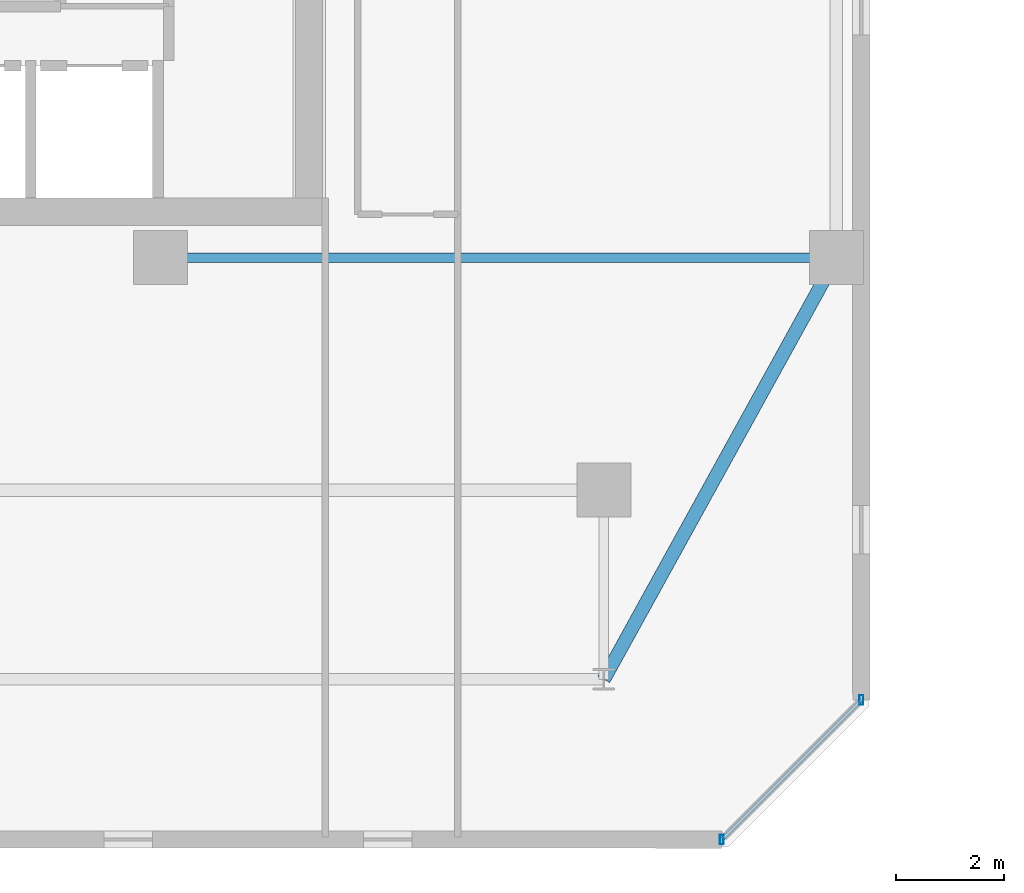
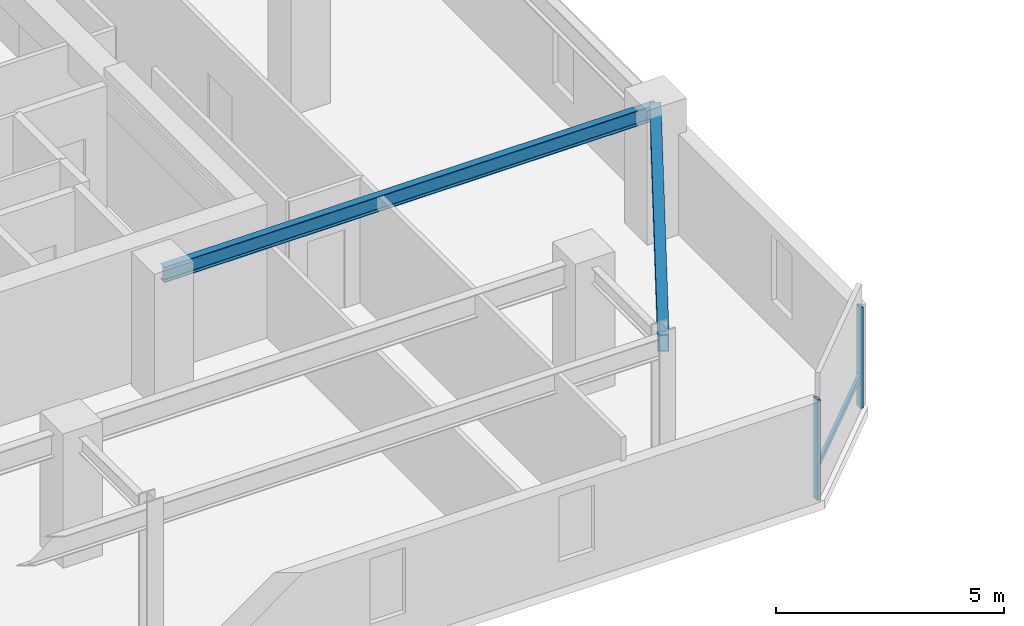
# One storey, part 5 of 31: 3 members, 2 beams, 1 element without a shape of its own.
"""IFC4 building model written with IfcOpenShell, lengths in metres."""

from ifc_helpers import new_model, si_unit, direction, frame, origin, origin_2d, place, context, subcontext, project, spatial, hollow_rectangle, i_section, extrude, material, material_profile, profile_set, type_object, element, aggregate, save


model = new_model("IFC4")

# Units and contexts
model_context = context("Model", 3, precision=1e-05, world=origin(), true_north=direction((0.0, 1.0)))
body_context = subcontext(model_context, "Body", "Model", "MODEL_VIEW")
ifc_project = project(units=[si_unit("LENGTHUNIT", "METRE"), si_unit("AREAUNIT", "SQUARE_METRE"), si_unit("VOLUMEUNIT", "CUBIC_METRE"), si_unit("PLANEANGLEUNIT", "RADIAN"), si_unit("MASSUNIT", "GRAM", prefix="KILO")], contexts=[model_context])

# Site, building, storey
site_placement = place(None, origin())
site = spatial("IfcSite", under=ifc_project, at=site_placement, CompositionType="ELEMENT")
building_placement = place(site_placement, origin())
building = spatial("IfcBuilding", under=site, at=building_placement, Name="Thornwick Lancets Civic Towers", CompositionType="ELEMENT")
storey_placement = place(building_placement, frame((0.0, 0.0, 236.699951171875)))
storey = spatial("IfcBuildingStorey", under=building, at=storey_placement, Name="L63", CompositionType="ELEMENT", Elevation=236.699951171875)

# Beams
ifc_material_1 = material(Name="Steel S355JR", Category="steel")
ifc_material_profile_1 = material_profile(ifc_material_1, i_section(OverallWidth=0.179443359375, OverallDepth=0.412841796875, WebThickness=0.009521484375, FlangeThickness=0.01611328125, FilletRadius=0.01025390625, at=origin_2d()), Name="UKB 406x178x74")
ifc_profile_set_1 = profile_set([ifc_material_profile_1], Name="Steel S355JR")
beam_type_1 = type_object("IfcBeamType", Name="BM_JOIST_406_74", PredefinedType="JOIST", material=ifc_profile_set_1)
beam_1_placement = place(storey_placement, frame((30.300048828125, 14.0, 3.153564453125), z_axis=(1.0, 0.0, 0.0), x_axis=(0.0, 1.0, 0.0)))
element("IfcBeam", 1, at=beam_1_placement, inside=storey, type_object=beam_type_1, Name="BM-RADIN-L63-A04", PredefinedType="JOIST", context=body_context, shape_type="SweptSolid", body=[
    extrude(i_section(OverallWidth=0.179443359375, OverallDepth=0.412841796875, WebThickness=0.009521484375, FlangeThickness=0.01611328125, FilletRadius=0.01025390625, at=origin_2d()), origin(), (0.0, 0.0, 1.0), 12.5),
])
ifc_material_profile_2 = material_profile(ifc_material_1, hollow_rectangle(XDim=0.25, YDim=0.449951171875, WallThickness=0.01611328125, at=origin_2d()), Name="RHS 450x250x16")
ifc_profile_set_2 = profile_set([ifc_material_profile_2], Name="Steel S355JR")
beam_type_2 = type_object("IfcBeamType", Name="BM_RING_RHS450", PredefinedType="BEAM", material=ifc_profile_set_2)
beam_2_placement = place(storey_placement, frame((38.5, 6.199951171875, 3.135009765625), z_axis=(0.482782395749, 0.875740348708, 0.0), x_axis=(-0.875740348708, 0.482782395749, 0.0)))
element("IfcBeam", 2, at=beam_2_placement, inside=storey, type_object=beam_type_2, Name="BM-CHAMF-L63-A-C0", PredefinedType="BEAM", context=body_context, shape_type="SweptSolid", body=[
    extrude(hollow_rectangle(XDim=0.25, YDim=0.449951171875, WallThickness=0.01611328125, at=origin_2d()), origin(), (0.0, 0.0, 1.0), 8.90673828125),
])

# Curtain wall, members
ifc_material_2 = material(Name="High-zone chamfered-corner unitised glass curtain wall", Category="glass")
curtain_wall_type = type_object("IfcCurtainWallType", Name="CW_SYS_05", PredefinedType="NOTDEFINED", material=ifc_material_2)
curtain_wall_placement = place(storey_placement, origin())
curtain_wall = element("IfcCurtainWall", 3, at=curtain_wall_placement, inside=storey, type_object=curtain_wall_type, Name="L63 Curtain Wall CW-L63-A-E1", PredefinedType="NOTDEFINED")
ifc_material_3 = material(Name="Thermally broken bronze aluminium S355", Category="steel")
ifc_material_profile_3 = material_profile(ifc_material_3, hollow_rectangle(XDim=0.074951171875, YDim=0.179931640625, WallThickness=0.006103515625, at=origin_2d()), Name="RHS 180x75x6")
ifc_profile_set_3 = profile_set([ifc_material_profile_3], Name="Thermally broken bronze aluminium S355")
member_type_1 = type_object("IfcMemberType", Name="CW_MUL_180", PredefinedType="MULLION", material=ifc_profile_set_3)
member_1_placement = place(storey_placement, frame((40.681396484375, 3.2353515625, 0.0), z_axis=(0.0, 0.0, 1.0), x_axis=(1.0, 0.0, 0.0)))
member_1 = element("IfcMember", 4, at=member_1_placement, type_object=member_type_1, Name="CW-L63-A-E1 Mullion 0", PredefinedType="MULLION", context=body_context, shape_type="SweptSolid", body=[
    extrude(hollow_rectangle(XDim=0.074951171875, YDim=0.179931640625, WallThickness=0.006103515625, at=origin_2d()), origin(), (0.0, 0.0, 1.0), 2.699951171875),
])
member_2_placement = place(storey_placement, frame((43.2646484375, 5.818603515625, 0.0), z_axis=(0.0, 0.0, 1.0), x_axis=(1.0, 0.0, 0.0)))
member_2 = element("IfcMember", 5, at=member_2_placement, type_object=member_type_1, Name="CW-L63-A-E1 Mullion 1", PredefinedType="MULLION", context=body_context, shape_type="SweptSolid", body=[
    extrude(hollow_rectangle(XDim=0.074951171875, YDim=0.179931640625, WallThickness=0.006103515625, at=origin_2d()), origin(), (0.0, 0.0, 1.0), 2.699951171875),
])
ifc_material_profile_4 = material_profile(ifc_material_3, hollow_rectangle(XDim=0.074951171875, YDim=0.14990234375, WallThickness=0.0048828125, at=origin_2d()), Name="RHS 150x75x5")
ifc_profile_set_4 = profile_set([ifc_material_profile_4], Name="Thermally broken bronze aluminium S355")
member_type_2 = type_object("IfcMemberType", Name="CW_TRN_150", PredefinedType="USERDEFINED", material=ifc_profile_set_4)
member_3_placement = place(storey_placement, frame((40.695556640625, 3.24951171875, 0.85009765625), z_axis=(0.707106781187, 0.707106781187, 0.0), x_axis=(-0.707106781187, 0.707106781187, 0.0)))
member_3 = element("IfcMember", 6, at=member_3_placement, type_object=member_type_2, Name="CW-L63-A-E1 Transom 0", ObjectType="TRANSOM", PredefinedType="USERDEFINED", context=body_context, shape_type="SweptSolid", body=[
    extrude(hollow_rectangle(XDim=0.074951171875, YDim=0.14990234375, WallThickness=0.0048828125, at=origin_2d()), origin(), (0.0, 0.0, 1.0), 3.61328125),
])
aggregate(curtain_wall, [member_1, member_2, member_3])

save(model, "model.ifc")
